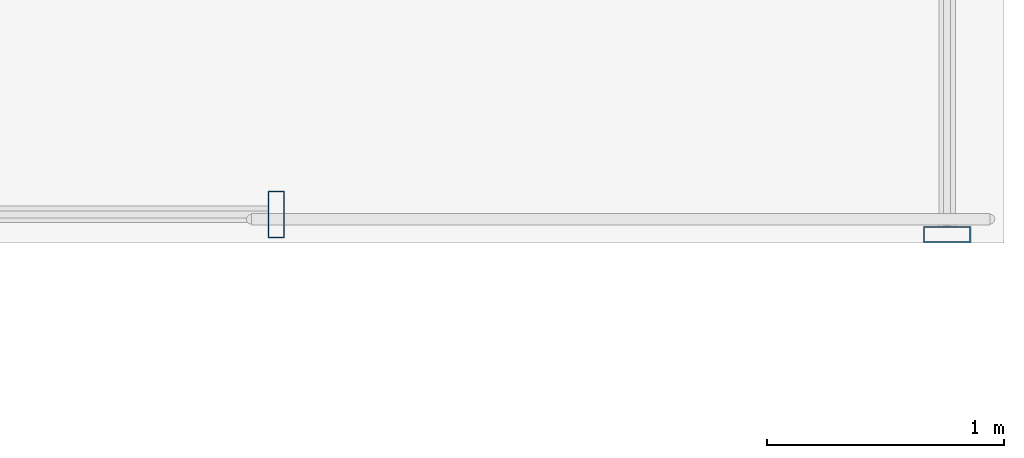
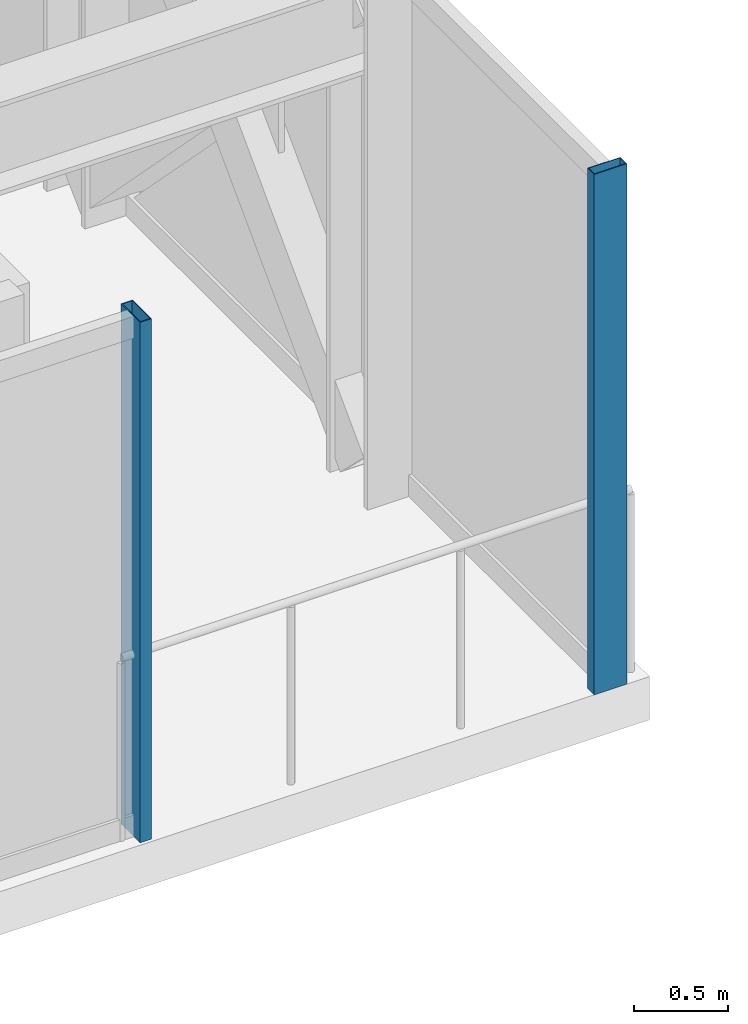
# One storey, part 19 of 37: 2 members, 2 elements without a shape of their own.
"""IFC4 building model written with IfcOpenShell, lengths in metres."""

from ifc_helpers import new_model, si_unit, direction, frame, origin, origin_2d, place, context, subcontext, project, spatial, hollow_rectangle, extrude, source, transform, mapped, material, material_profile, profile_set, type_object, element, aggregate, save


model = new_model("IFC4")

# Units and contexts
model_context = context("Model", 3, precision=1e-05, world=origin(), true_north=direction((0.0, 1.0)))
body_context = subcontext(model_context, "Body", "Model", "MODEL_VIEW")
ifc_project = project(units=[si_unit("LENGTHUNIT", "METRE"), si_unit("AREAUNIT", "SQUARE_METRE"), si_unit("VOLUMEUNIT", "CUBIC_METRE"), si_unit("PLANEANGLEUNIT", "RADIAN"), si_unit("MASSUNIT", "GRAM", prefix="KILO")], contexts=[model_context])

# Site, building, storey
site_placement = place(None, origin())
site = spatial("IfcSite", under=ifc_project, at=site_placement, CompositionType="ELEMENT")
building_placement = place(site_placement, origin())
building = spatial("IfcBuilding", under=site, at=building_placement, Name="Nahalor Promenade Grand Hotel", CompositionType="ELEMENT")
storey_placement = place(building_placement, frame((0.0, 0.0, 65.25)))
storey = spatial("IfcBuildingStorey", under=building, at=storey_placement, Name="L15", CompositionType="ELEMENT", Elevation=65.25)

# Curtain wall, member
ifc_material = material(Name="Anodised Bronze Aluminium EN AW-6063 T6", Category="aluminium")
curtain_wall_type = type_object("IfcCurtainWallType", Name="CW3 Elliptical-Void Collar Unitised Curtain Wall", PredefinedType="USERDEFINED", material=ifc_material)
curtain_wall_1_placement = place(storey_placement, origin())
curtain_wall_1 = element("IfcCurtainWall", 1, at=curtain_wall_1_placement, inside=storey, type_object=curtain_wall_type, Name="L15 Curtain Wall CW-L15-E-2", ObjectType="UNITISED_CURTAIN_WALL", PredefinedType="USERDEFINED")
ifc_material_profile = material_profile(ifc_material, hollow_rectangle(XDim=0.07, YDim=0.2, WallThickness=0.005, at=origin_2d()), Name="CWM 70x200x5")
ifc_profile_set = profile_set([ifc_material_profile], Name="Anodised Bronze Aluminium EN AW-6063 T6")
member_type = type_object("IfcMemberType", Name="CWM3 Void Collar Mullion 70x200", PredefinedType="MULLION", material=ifc_profile_set)
shared_shape = source(origin(), body_context, "Body", "SweptSolid", [
    extrude(hollow_rectangle(XDim=0.07, YDim=0.2, WallThickness=0.005, at=origin_2d()), origin(), (0.0, 0.0, 1.0), 3.3701171875),
])
member_1_placement = place(storey_placement, frame((25.159912109375, 3.135009765625, 0.0), z_axis=(0.0, 0.0, 1.0), x_axis=(0.0, 1.0, 0.0)))
member_1 = element("IfcMember", 2, at=member_1_placement, type_object=member_type, Name="CW-L15-E-2 Mullion 0", PredefinedType="MULLION", context=body_context, shape_type="MappedRepresentation", body=[
    mapped(shared_shape, transform((0.0, 0.0, 0.0), scale=1.0)),
])
aggregate(curtain_wall_1, [member_1])

curtain_wall_2_placement = place(storey_placement, origin())
curtain_wall_2 = element("IfcCurtainWall", 3, at=curtain_wall_2_placement, inside=storey, type_object=curtain_wall_type, Name="L15 Curtain Wall CW-L15-VOID-EN1", ObjectType="UNITISED_CURTAIN_WALL", PredefinedType="USERDEFINED")
member_2_placement = place(storey_placement, frame((22.324951171875, 3.219970703125, 0.0), z_axis=(0.0, 0.0, 1.0), x_axis=(1.0, 0.0, 0.0)))
member_2 = element("IfcMember", 4, at=member_2_placement, type_object=member_type, Name="CW-L15-VOID-EN1 Mullion 1", PredefinedType="MULLION", context=body_context, shape_type="MappedRepresentation", body=[
    mapped(shared_shape, transform((0.0, 0.0, 0.0), scale=1.0)),
])
aggregate(curtain_wall_2, [member_2])

save(model, "model.ifc")
